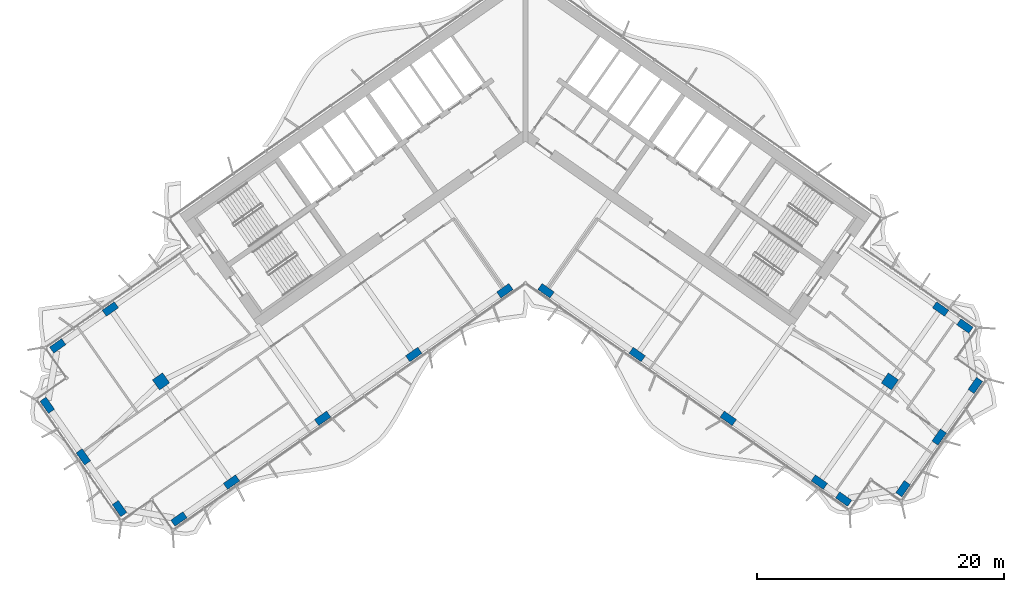
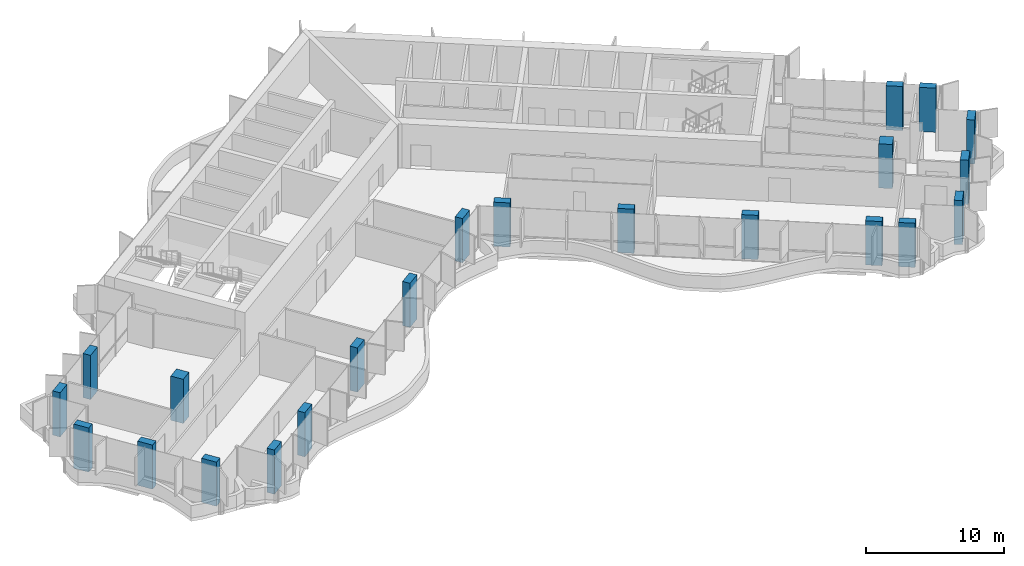
# One storey, part 1 of 21: 22 columns.
"""IFC4 building model written with IfcOpenShell, lengths in metres."""

from ifc_helpers import new_model, si_unit, direction, frame, origin, origin_2d, place, context, subcontext, project, spatial, rectangle, extrude, material, material_profile, profile_set, type_object, element, save


model = new_model("IFC4")

# Units and contexts
model_context = context("Model", 3, precision=1e-05, world=origin(), true_north=direction((0.0, 1.0)))
body_context = subcontext(model_context, "Body", "Model", "MODEL_VIEW")
ifc_project = project(units=[si_unit("LENGTHUNIT", "METRE"), si_unit("AREAUNIT", "SQUARE_METRE"), si_unit("VOLUMEUNIT", "CUBIC_METRE"), si_unit("PLANEANGLEUNIT", "RADIAN"), si_unit("MASSUNIT", "GRAM", prefix="KILO")], contexts=[model_context])

# Site, building, storey
site_placement = place(None, origin())
site = spatial("IfcSite", under=ifc_project, at=site_placement, CompositionType="ELEMENT")
building_placement = place(site_placement, origin())
building = spatial("IfcBuilding", under=site, at=building_placement, Name="Tel Ilan Convention Tower", CompositionType="ELEMENT")
storey_placement = place(building_placement, frame((0.0, 0.0, 151.5)))
storey = spatial("IfcBuildingStorey", under=building, at=storey_placement, Name="L34", CompositionType="ELEMENT", Elevation=151.5)

# Columns
ifc_material_1 = material(Name="Concrete C50/60", Category="concrete")
ifc_material_profile_1 = material_profile(ifc_material_1, rectangle(XDim=1.0, YDim=1.0, at=origin_2d()), Name="RC 1000x1000")
ifc_profile_set_1 = profile_set([ifc_material_profile_1], Name="Concrete C50/60")
column_type_1 = type_object("IfcColumnType", Name="Column RC 1000x1000 C50/60", PredefinedType="COLUMN", material=ifc_profile_set_1)
for number, where, z_axis, x_axis, name in (
    (1, (-29.489501953125, -20.648681640625, 0.0), (0.0, 0.0, 1.0), (-0.819152044289, -0.573576436351, 0.0), "L34 column W-M4"),
    (2, (29.489501953125, -20.648681640625, 0.0), (0.0, 0.0, 1.0), (0.819152044289, -0.573576436351, 0.0), "L34 column E-M4"),
):
    element("IfcColumn", number, at=place(storey_placement, frame(where, z_axis=z_axis, x_axis=x_axis)), inside=storey, type_object=column_type_1, Name=name, PredefinedType="COLUMN", context=body_context, shape_type="SweptSolid", body=[
        extrude(rectangle(XDim=1.0, YDim=1.0, at=origin_2d()), origin(), (0.0, 0.0, 1.0), 3.89990234375),
    ])
ifc_material_2 = material(Name="Concrete C50/60", Category="concrete")
ifc_material_profile_2 = material_profile(ifc_material_2, rectangle(XDim=1.199951171875, YDim=0.60009765625, at=origin_2d()), Name="RC 600x1200")
ifc_profile_set_2 = profile_set([ifc_material_profile_2], Name="Concrete C50/60")
column_type_2 = type_object("IfcColumnType", Name="Column RC 600x1200 C50/60", PredefinedType="COLUMN", material=ifc_profile_set_2)
for number, where, z_axis, x_axis, name in (
    (3, (-1.665283203125, -13.312744140625, 0.0), (0.0, 0.0, 1.0), (-0.819152044289, -0.573576436351, 0.0), "L34 column W-F1"),
    (4, (-9.03759765625, -18.474853515625, 0.0), (0.0, 0.0, 1.0), (-0.819152044289, -0.573576436351, 0.0), "L34 column W-F2"),
    (5, (-16.409912109375, -23.63720703125, 0.0), (0.0, 0.0, 1.0), (-0.819152044289, -0.573576436351, 0.0), "L34 column W-F3"),
    (6, (-23.782470703125, -28.79931640625, 0.0), (0.0, 0.0, 1.0), (-0.819152044289, -0.573576436351, 0.0), "L34 column W-F4"),
    (7, (-28.0419921875, -31.781982421875, 0.0), (0.0, 0.0, 1.0), (-0.819152044289, -0.573576436351, 0.0), "L34 column W-FC"),
    (8, (-33.590576171875, -14.791748046875, 0.0), (0.0, 0.0, 1.0), (-0.819152044289, -0.573576436351, 0.0), "L34 column W-B4"),
    (9, (-37.85009765625, -17.7744140625, 0.0), (0.0, 0.0, 1.0), (-0.819152044289, -0.573576436351, 0.0), "L34 column W-BC"),
    (10, (-32.846923828125, -30.934814453125, 0.0), (0.0, 0.0, 1.0), (-0.573576436351, 0.819152044289, 0.0), "L34 column W-E1"),
    (11, (-35.772216796875, -26.757080078125, 0.0), (0.0, 0.0, 1.0), (-0.573576436351, 0.819152044289, 0.0), "L34 column W-E2"),
    (12, (-38.697509765625, -22.579345703125, 0.0), (0.0, 0.0, 1.0), (-0.573576436351, 0.819152044289, 0.0), "L34 column W-E3"),
    (13, (1.665283203125, -13.312744140625, 0.0), (0.0, 0.0, 1.0), (0.819152044289, -0.573576436351, 0.0), "L34 column E-F1"),
    (14, (9.03759765625, -18.474853515625, 0.0), (0.0, 0.0, 1.0), (0.819152044289, -0.573576436351, 0.0), "L34 column E-F2"),
    (15, (16.409912109375, -23.63720703125, 0.0), (0.0, 0.0, 1.0), (0.819152044289, -0.573576436351, 0.0), "L34 column E-F3"),
    (16, (23.782470703125, -28.79931640625, 0.0), (0.0, 0.0, 1.0), (0.819152044289, -0.573576436351, 0.0), "L34 column E-F4"),
    (17, (25.748291015625, -30.17578125, 0.0), (0.0, 0.0, 1.0), (0.819152044289, -0.573576436351, 0.0), "L34 column E-FC"),
    (18, (33.590576171875, -14.791748046875, 0.0), (0.0, 0.0, 1.0), (0.819152044289, -0.573576436351, 0.0), "L34 column E-B4"),
    (19, (35.556396484375, -16.16845703125, 0.0), (0.0, 0.0, 1.0), (0.819152044289, -0.573576436351, 0.0), "L34 column E-BC"),
    (20, (30.55322265625, -29.32861328125, 0.0), (0.0, 0.0, 1.0), (0.573576436351, 0.819152044289, 0.0), "L34 column E-E1"),
    (21, (33.478515625, -25.15087890625, 0.0), (0.0, 0.0, 1.0), (0.573576436351, 0.819152044289, 0.0), "L34 column E-E2"),
    (22, (36.40380859375, -20.973388671875, 0.0), (0.0, 0.0, 1.0), (0.573576436351, 0.819152044289, 0.0), "L34 column E-E3"),
):
    element("IfcColumn", number, at=place(storey_placement, frame(where, z_axis=z_axis, x_axis=x_axis)), inside=storey, type_object=column_type_2, Name=name, PredefinedType="COLUMN", context=body_context, shape_type="SweptSolid", body=[
        extrude(rectangle(XDim=1.199951171875, YDim=0.60009765625, at=origin_2d()), origin(), (0.0, 0.0, 1.0), 3.89990234375),
    ])

save(model, "model.ifc")
